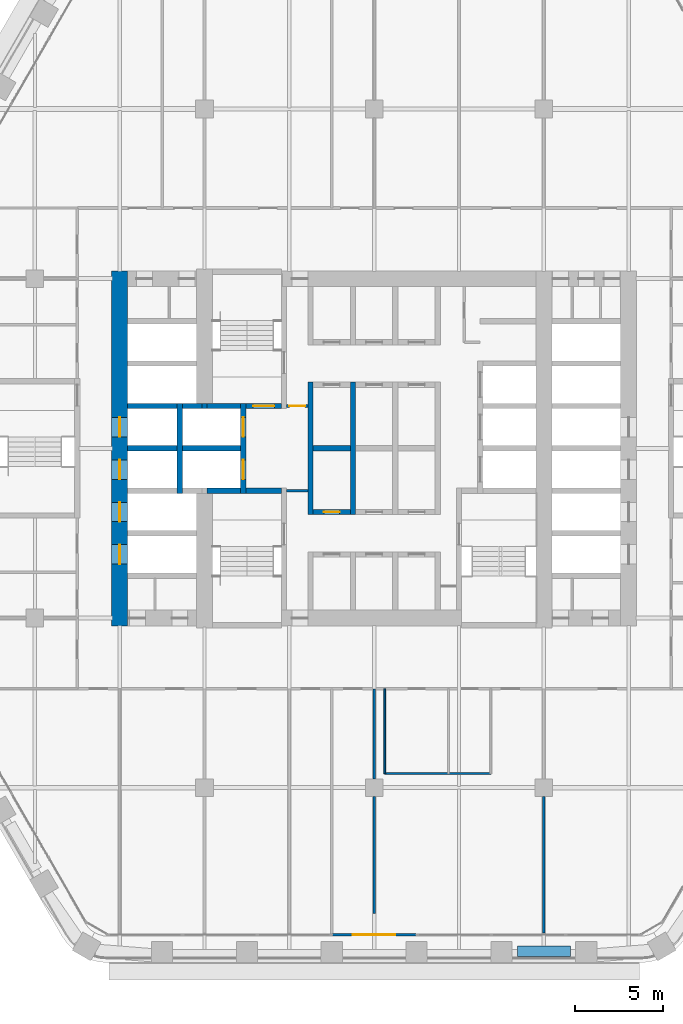
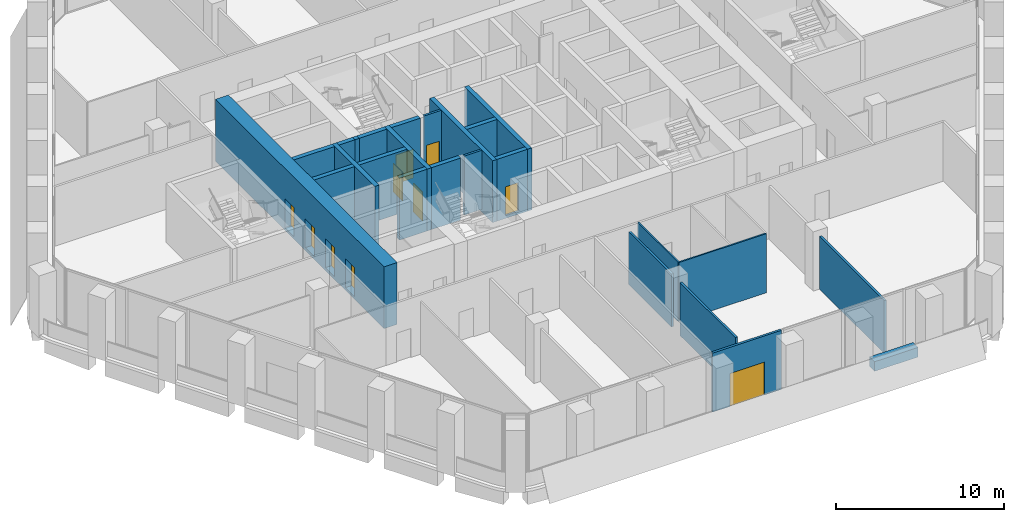
# One storey, part 13 of 23: 25 walls, 10 doors, 10 openings.
"""IFC4 building model written with IfcOpenShell, lengths in metres."""

from ifc_helpers import new_model, si_unit, direction, frame, frame_2d, origin, place, context, subcontext, project, spatial, rectangle, extrude, material, layer, layer_set, type_object, element, fill, save


model = new_model("IFC4")

# Units and contexts
model_context = context("Model", 3, precision=1e-05, world=origin(), true_north=direction((0.0, 1.0)))
body_context = subcontext(model_context, "Body", "Model", "MODEL_VIEW")
ifc_project = project(units=[si_unit("LENGTHUNIT", "METRE"), si_unit("AREAUNIT", "SQUARE_METRE"), si_unit("VOLUMEUNIT", "CUBIC_METRE"), si_unit("PLANEANGLEUNIT", "RADIAN"), si_unit("MASSUNIT", "GRAM", prefix="KILO")], contexts=[model_context])

# Site, building, storey
site_placement = place(None, origin())
site = spatial("IfcSite", under=ifc_project, at=site_placement, CompositionType="ELEMENT")
building_placement = place(site_placement, origin())
building = spatial("IfcBuilding", under=site, at=building_placement, Name="Kolab Exchange Tower", CompositionType="ELEMENT")
storey_placement = place(building_placement, frame((0.0, 0.0, 100.39990234375)))
storey = spatial("IfcBuildingStorey", under=building, at=storey_placement, Name="L19", CompositionType="ELEMENT", Elevation=100.39990234375)

# Wall, openings, doors
ifc_material_1 = material(Name="Concrete C70/85", Category="concrete")
ifc_layer_1 = layer(ifc_material_1, 0.89990234375)
ifc_layer_set_1 = layer_set([ifc_layer_1], Name="Concrete C70/85")
wall_type_1 = type_object("IfcWallType", Name="CORE WALL 900 C70/85", PredefinedType="SHEAR", material=ifc_layer_set_1)
wall_1_placement = place(storey_placement, frame((-14.39990234375, -10.050048828125, -0.199951171875), z_axis=(0.0, 0.0, 1.0), x_axis=(0.0, 1.0, 0.0)))
wall_1 = element("IfcWall", 1, at=wall_1_placement, inside=storey, type_object=wall_type_1, Name="wall/L19/core/057", PredefinedType="SHEAR", context=body_context, shape_type="SweptSolid", body=[
    extrude(rectangle(XDim=20.10009765625, YDim=0.89990234375, at=frame_2d((10.050048828125, 0.0))), origin(), (0.0, 0.0, 1.0), 4.5),
])
opening_1_placement = place(wall_1_placement, frame((3.5, 0.0, 0.199951171875)))
opening_1 = element("IfcOpeningElement", 2, at=opening_1_placement, cuts=wall_1, Name="Opening LD1-073", PredefinedType="OPENING", context=body_context, shape_type="SweptSolid", body=[
    extrude(rectangle(XDim=1.10009765625, YDim=2.10009765625, at=frame_2d((0.550048828125, 1.050048828125))), frame((0.0, 0.4599609375, 0.0), z_axis=(0.0, -1.0, 0.0), x_axis=(1.0, 0.0, 0.0)), (0.0, 0.0, 1.0), 0.919921875),
])
opening_2_placement = place(wall_1_placement, frame((5.89990234375, 0.0, 0.199951171875)))
opening_2 = element("IfcOpeningElement", 3, at=opening_2_placement, cuts=wall_1, Name="Opening LD1-074", PredefinedType="OPENING", context=body_context, shape_type="SweptSolid", body=[
    extrude(rectangle(XDim=1.10009765625, YDim=2.10009765625, at=frame_2d((0.550048828125, 1.050048828125))), frame((0.0, 0.4599609375, 0.0), z_axis=(0.0, -1.0, 0.0), x_axis=(1.0, 0.0, 0.0)), (0.0, 0.0, 1.0), 0.919921875),
])
opening_3_placement = place(wall_1_placement, frame((8.300048828125, 0.0, 0.199951171875)))
opening_3 = element("IfcOpeningElement", 4, at=opening_3_placement, cuts=wall_1, Name="Opening LD1-075", PredefinedType="OPENING", context=body_context, shape_type="SweptSolid", body=[
    extrude(rectangle(XDim=1.10009765625, YDim=2.10009765625, at=frame_2d((0.550048828125, 1.050048828125))), frame((0.0, 0.4599609375, 0.0), z_axis=(0.0, -1.0, 0.0), x_axis=(1.0, 0.0, 0.0)), (0.0, 0.0, 1.0), 0.919921875),
])
opening_4_placement = place(wall_1_placement, frame((10.699951171875, 0.0, 0.199951171875)))
opening_4 = element("IfcOpeningElement", 5, at=opening_4_placement, cuts=wall_1, Name="Opening LD1-076", PredefinedType="OPENING", context=body_context, shape_type="SweptSolid", body=[
    extrude(rectangle(XDim=1.10009765625, YDim=2.10009765625, at=frame_2d((0.550048828125, 1.050048828125))), frame((0.0, 0.4599609375, 0.0), z_axis=(0.0, -1.0, 0.0), x_axis=(1.0, 0.0, 0.0)), (0.0, 0.0, 1.0), 0.919921875),
])
ifc_material_2 = material(Name="Stainless steel 316", Category="steel")
door_type_1 = type_object("IfcDoorType", Name="LANDING DOOR 1100 PASSENGER", OperationType="DOUBLE_DOOR_SLIDING", PredefinedType="DOOR", material=ifc_material_2)
door_1_placement = place(opening_1_placement, origin())
door_1 = element("IfcDoor", 6, at=door_1_placement, inside=storey, type_object=door_type_1, Name="Landing door LR5", OperationType="DOUBLE_DOOR_SLIDING", OverallHeight=2.10009765625, OverallWidth=1.10009765625, PredefinedType="DOOR", context=body_context, shape_type="SweptSolid", body=[
    extrude(rectangle(XDim=1.10009765625, YDim=2.10009765625, at=frame_2d((0.550048828125, 1.050048828125))), frame((0.0, 0.02490234375, 0.0), z_axis=(0.0, -1.0, 0.0), x_axis=(1.0, 0.0, 0.0)), (0.0, 0.0, 1.0), 0.050048828125),
])
fill(opening_1, door_1)
door_2_placement = place(opening_2_placement, origin())
door_2 = element("IfcDoor", 7, at=door_2_placement, inside=storey, type_object=door_type_1, Name="Landing door LR6", OperationType="DOUBLE_DOOR_SLIDING", OverallHeight=2.10009765625, OverallWidth=1.10009765625, PredefinedType="DOOR", context=body_context, shape_type="SweptSolid", body=[
    extrude(rectangle(XDim=1.10009765625, YDim=2.10009765625, at=frame_2d((0.550048828125, 1.050048828125))), frame((0.0, 0.02490234375, 0.0), z_axis=(0.0, -1.0, 0.0), x_axis=(1.0, 0.0, 0.0)), (0.0, 0.0, 1.0), 0.050048828125),
])
fill(opening_2, door_2)
door_3_placement = place(opening_3_placement, origin())
door_3 = element("IfcDoor", 8, at=door_3_placement, inside=storey, type_object=door_type_1, Name="Landing door LR7", OperationType="DOUBLE_DOOR_SLIDING", OverallHeight=2.10009765625, OverallWidth=1.10009765625, PredefinedType="DOOR", context=body_context, shape_type="SweptSolid", body=[
    extrude(rectangle(XDim=1.10009765625, YDim=2.10009765625, at=frame_2d((0.550048828125, 1.050048828125))), frame((0.0, 0.02490234375, 0.0), z_axis=(0.0, -1.0, 0.0), x_axis=(1.0, 0.0, 0.0)), (0.0, 0.0, 1.0), 0.050048828125),
])
fill(opening_3, door_3)
door_4_placement = place(opening_4_placement, origin())
door_4 = element("IfcDoor", 9, at=door_4_placement, inside=storey, type_object=door_type_1, Name="Landing door LR8", OperationType="DOUBLE_DOOR_SLIDING", OverallHeight=2.10009765625, OverallWidth=1.10009765625, PredefinedType="DOOR", context=body_context, shape_type="SweptSolid", body=[
    extrude(rectangle(XDim=1.10009765625, YDim=2.10009765625, at=frame_2d((0.550048828125, 1.050048828125))), frame((0.0, 0.02490234375, 0.0), z_axis=(0.0, -1.0, 0.0), x_axis=(1.0, 0.0, 0.0)), (0.0, 0.0, 1.0), 0.050048828125),
])
fill(opening_4, door_4)

# Wall, opening, door
ifc_material_3 = material(Name="Aluminium EN AW-6063 T6", Category="aluminium")
ifc_layer_2 = layer(ifc_material_3, 0.159912109375)
ifc_layer_set_2 = layer_set([ifc_layer_2], Name="Aluminium EN AW-6063 T6")
wall_type_2 = type_object("IfcWallType", Name="DOOR SURROUND WALL 160 ALUMINIUM FRAMED", PredefinedType="PARTITIONING", material=ifc_layer_set_2)
wall_2_placement = place(storey_placement, frame((2.3701171875, -27.5185546875, 0.0), z_axis=(0.0, 0.0, 1.0), x_axis=(-1.0, 0.0, 0.0)))
wall_2 = element("IfcWall", 10, at=wall_2_placement, inside=storey, type_object=wall_type_2, Name="Door surround wall", PredefinedType="PARTITIONING", context=body_context, shape_type="SweptSolid", body=[
    extrude(rectangle(XDim=4.740234375, YDim=0.159912109375, at=frame_2d((2.3701171875, 0.0))), origin(), (0.0, 0.0, 1.0), 4.300048828125),
])
opening_5_placement = place(wall_2_placement, frame((1.169921875, 0.0, 0.0)))
opening_5 = element("IfcOpeningElement", 11, at=opening_5_placement, cuts=wall_2, Name="Opening GD1-037", PredefinedType="OPENING", context=body_context, shape_type="SweptSolid", body=[
    extrude(rectangle(XDim=2.39990234375, YDim=2.39990234375, at=frame_2d((1.199951171875, 1.199951171875))), frame((0.0, 0.08984375, 0.0), z_axis=(0.0, -1.0, 0.0), x_axis=(1.0, 0.0, 0.0)), (0.0, 0.0, 1.0), 0.179931640625),
])
door_type_2 = type_object("IfcDoorType", Name="LOGGIA SLIDING GLASS DOOR 2400 X 2400", OperationType="DOUBLE_DOOR_SINGLE_SWING", PredefinedType="DOOR", material=ifc_material_3)
door_5_placement = place(opening_5_placement, origin())
door_5 = element("IfcDoor", 12, at=door_5_placement, inside=storey, type_object=door_type_2, Name="Loggia door", OperationType="DOUBLE_DOOR_SLIDING", OverallHeight=2.39990234375, OverallWidth=2.39990234375, PredefinedType="DOOR", context=body_context, shape_type="SweptSolid", body=[
    extrude(rectangle(XDim=2.39990234375, YDim=2.39990234375, at=frame_2d((1.199951171875, 1.199951171875))), frame((0.0, 0.02490234375, 0.0), z_axis=(0.0, -1.0, 0.0), x_axis=(1.0, 0.0, 0.0)), (0.0, 0.0, 1.0), 0.050048828125),
])
fill(opening_5, door_5)

ifc_material_4 = material(Name="Concrete C50/60", Category="concrete")
ifc_layer_3 = layer(ifc_material_4, 0.300048828125)
ifc_layer_set_3 = layer_set([ifc_layer_3], Name="Concrete C50/60")
wall_type_3 = type_object("IfcWallType", Name="LIFT SHAFT WALL 300 C50/60", PredefinedType="STANDARD", material=ifc_layer_set_3)
wall_3_placement = place(storey_placement, frame((-3.449951171875, -3.60009765625, -0.199951171875), z_axis=(0.0, 0.0, 1.0), x_axis=(1.0, 0.0, 0.0)))
wall_3 = element("IfcWall", 13, at=wall_3_placement, inside=storey, type_object=wall_type_3, Name="wall/L19/core/014", PredefinedType="STANDARD", context=body_context, shape_type="SweptSolid", body=[
    extrude(rectangle(XDim=2.099853515625, YDim=0.300048828125, at=frame_2d((1.0498046875, 0.0))), origin(), (0.0, 0.0, 1.0), 4.5),
])
opening_6_placement = place(wall_3_placement, frame((0.60009765625, 0.0, 0.199951171875)))
opening_6 = element("IfcOpeningElement", 14, at=opening_6_placement, cuts=wall_3, Name="Opening D6-199", PredefinedType="OPENING", context=body_context, shape_type="SweptSolid", body=[
    extrude(rectangle(XDim=0.89990234375, YDim=2.10009765625, at=frame_2d((0.449951171875, 1.050048828125))), frame((0.0, 0.16015625, 0.0), z_axis=(0.0, -1.0, 0.0), x_axis=(1.0, 0.0, 0.0)), (0.0, 0.0, 1.0), 0.320068359375),
])
ifc_material_5 = material(Name="Steel S235", Category="steel")
door_type_3 = type_object("IfcDoorType", Name="CORE DOOR 900 EI 120", OperationType="SINGLE_SWING_LEFT", PredefinedType="DOOR", material=ifc_material_5)
door_6_placement = place(opening_6_placement, origin())
door_6 = element("IfcDoor", 15, at=door_6_placement, inside=storey, type_object=door_type_3, Name="Service room door", OperationType="SINGLE_SWING_LEFT", OverallHeight=2.10009765625, OverallWidth=0.89990234375, PredefinedType="DOOR", context=body_context, shape_type="SweptSolid", body=[
    extrude(rectangle(XDim=0.89990234375, YDim=2.10009765625, at=frame_2d((0.449951171875, 1.050048828125))), frame((0.0, 0.02490234375, 0.0), z_axis=(0.0, -1.0, 0.0), x_axis=(1.0, 0.0, 0.0)), (0.0, 0.0, 1.0), 0.050048828125),
])
fill(opening_6, door_6)

# Walls
wall_4_placement = place(storey_placement, frame((-13.949951171875, 0.0, -0.199951171875), z_axis=(0.0, 0.0, 1.0), x_axis=(1.0, 0.0, 0.0)))
element("IfcWall", 16, at=wall_4_placement, inside=storey, type_object=wall_type_3, Name="wall/L19/core/024", PredefinedType="STANDARD", context=body_context, shape_type="SweptSolid", body=[
    extrude(rectangle(XDim=2.800048828125, YDim=0.300048828125, at=frame_2d((1.39990234375, 0.0))), origin(), (0.0, 0.0, 1.0), 4.5),
])
wall_5_placement = place(storey_placement, frame((-10.85009765625, 0.0, -0.199951171875), z_axis=(0.0, 0.0, 1.0), x_axis=(1.0, 0.0, 0.0)))
element("IfcWall", 17, at=wall_5_placement, inside=storey, type_object=wall_type_3, Name="wall/L19/core/025", PredefinedType="STANDARD", context=body_context, shape_type="SweptSolid", body=[
    extrude(rectangle(XDim=3.300048828125, YDim=0.300048828125, at=frame_2d((1.64990234375, 0.0))), origin(), (0.0, 0.0, 1.0), 4.5),
])
wall_6_placement = place(storey_placement, frame((-3.449951171875, 0.0, -0.199951171875), z_axis=(0.0, 0.0, 1.0), x_axis=(1.0, 0.0, 0.0)))
element("IfcWall", 18, at=wall_6_placement, inside=storey, type_object=wall_type_3, Name="wall/L19/core/026", PredefinedType="STANDARD", context=body_context, shape_type="SweptSolid", body=[
    extrude(rectangle(XDim=2.099853515625, YDim=0.300048828125, at=frame_2d((1.0498046875, 0.0))), origin(), (0.0, 0.0, 1.0), 4.5),
])
wall_7_placement = place(storey_placement, frame((-13.949951171875, 2.39990234375, -0.199951171875), z_axis=(0.0, 0.0, 1.0), x_axis=(1.0, 0.0, 0.0)))
element("IfcWall", 19, at=wall_7_placement, inside=storey, type_object=wall_type_3, Name="wall/L19/core/031", PredefinedType="STANDARD", context=body_context, shape_type="SweptSolid", body=[
    extrude(rectangle(XDim=2.800048828125, YDim=0.300048828125, at=frame_2d((1.39990234375, 0.0))), origin(), (0.0, 0.0, 1.0), 4.5),
])
wall_8_placement = place(storey_placement, frame((-10.85009765625, 2.39990234375, -0.199951171875), z_axis=(0.0, 0.0, 1.0), x_axis=(1.0, 0.0, 0.0)))
element("IfcWall", 20, at=wall_8_placement, inside=storey, type_object=wall_type_3, Name="wall/L19/core/032", PredefinedType="STANDARD", context=body_context, shape_type="SweptSolid", body=[
    extrude(rectangle(XDim=1.10009765625, YDim=0.300048828125, at=frame_2d((0.550048828125, 0.0))), origin(), (0.0, 0.0, 1.0), 4.5),
])
wall_9_placement = place(storey_placement, frame((-11.0, -2.550048828125, -0.199951171875), z_axis=(0.0, 0.0, 1.0), x_axis=(0.0, 1.0, 0.0)))
element("IfcWall", 21, at=wall_9_placement, inside=storey, type_object=wall_type_3, Name="wall/L19/core/058", PredefinedType="STANDARD", context=body_context, shape_type="SweptSolid", body=[
    extrude(rectangle(XDim=5.10009765625, YDim=0.300048828125, at=frame_2d((2.550048828125, 0.0))), origin(), (0.0, 0.0, 1.0), 4.5),
])

# Wall, openings, doors
wall_10_placement = place(storey_placement, frame((-7.39990234375, -2.550048828125, -0.199951171875), z_axis=(0.0, 0.0, 1.0), x_axis=(0.0, 1.0, 0.0)))
wall_10 = element("IfcWall", 22, at=wall_10_placement, inside=storey, type_object=wall_type_3, Name="wall/L19/core/063", PredefinedType="STANDARD", context=body_context, shape_type="SweptSolid", body=[
    extrude(rectangle(XDim=5.10009765625, YDim=0.300048828125, at=frame_2d((2.550048828125, 0.0))), origin(), (0.0, 0.0, 1.0), 4.5),
])
opening_7_placement = place(wall_10_placement, frame((0.800048828125, 0.0, 0.199951171875)))
opening_7 = element("IfcOpeningElement", 23, at=opening_7_placement, cuts=wall_10, Name="Opening LD2-017", PredefinedType="OPENING", context=body_context, shape_type="SweptSolid", body=[
    extrude(rectangle(XDim=1.10009765625, YDim=2.10009765625, at=frame_2d((0.550048828125, 1.050048828125))), frame((0.0, 0.16015625, 0.0), z_axis=(0.0, -1.0, 0.0), x_axis=(1.0, 0.0, 0.0)), (0.0, 0.0, 1.0), 0.320068359375),
])
opening_8_placement = place(wall_10_placement, frame((3.199951171875, 0.0, 0.199951171875)))
opening_8 = element("IfcOpeningElement", 24, at=opening_8_placement, cuts=wall_10, Name="Opening LD2-018", PredefinedType="OPENING", context=body_context, shape_type="SweptSolid", body=[
    extrude(rectangle(XDim=1.10009765625, YDim=2.10009765625, at=frame_2d((0.550048828125, 1.050048828125))), frame((0.0, 0.16015625, 0.0), z_axis=(0.0, -1.0, 0.0), x_axis=(1.0, 0.0, 0.0)), (0.0, 0.0, 1.0), 0.320068359375),
])
door_type_4 = type_object("IfcDoorType", Name="LANDING DOOR 1100 FIREFIGHTING", OperationType="DOUBLE_DOOR_SLIDING", PredefinedType="DOOR", material=ifc_material_2)
door_7_placement = place(opening_7_placement, origin())
door_7 = element("IfcDoor", 25, at=door_7_placement, inside=storey, type_object=door_type_4, Name="Landing door FF1", OperationType="DOUBLE_DOOR_SLIDING", OverallHeight=2.10009765625, OverallWidth=1.10009765625, PredefinedType="DOOR", context=body_context, shape_type="SweptSolid", body=[
    extrude(rectangle(XDim=1.10009765625, YDim=2.10009765625, at=frame_2d((0.550048828125, 1.050048828125))), frame((0.0, 0.02490234375, 0.0), z_axis=(0.0, -1.0, 0.0), x_axis=(1.0, 0.0, 0.0)), (0.0, 0.0, 1.0), 0.050048828125),
])
fill(opening_7, door_7)
door_8_placement = place(opening_8_placement, origin())
door_8 = element("IfcDoor", 26, at=door_8_placement, inside=storey, type_object=door_type_4, Name="Landing door FF2", OperationType="DOUBLE_DOOR_SLIDING", OverallHeight=2.10009765625, OverallWidth=1.10009765625, PredefinedType="DOOR", context=body_context, shape_type="SweptSolid", body=[
    extrude(rectangle(XDim=1.10009765625, YDim=2.10009765625, at=frame_2d((0.550048828125, 1.050048828125))), frame((0.0, 0.02490234375, 0.0), z_axis=(0.0, -1.0, 0.0), x_axis=(1.0, 0.0, 0.0)), (0.0, 0.0, 1.0), 0.050048828125),
])
fill(opening_8, door_8)

# Walls
for number, where, z_axis, x_axis, name in (
    (27, (-3.60009765625, -3.75, -0.199951171875), (0.0, 0.0, 1.0), (0.0, 1.0, 0.0), "wall/L19/core/067"),
    (28, (-1.199951171875, -3.75, -0.199951171875), (0.0, 0.0, 1.0), (0.0, 1.0, 0.0), "wall/L19/core/070"),
):
    element("IfcWall", number, at=place(storey_placement, frame(where, z_axis=z_axis, x_axis=x_axis)), inside=storey, type_object=wall_type_3, Name=name, PredefinedType="STANDARD", context=body_context, shape_type="SweptSolid", body=[
        extrude(rectangle(XDim=7.5, YDim=0.300048828125, at=frame_2d((3.75, 0.0))), origin(), (0.0, 0.0, 1.0), 4.5),
    ])
ifc_material_6 = material(Name="Gypsum board", Category="gypsum")
ifc_layer_4 = layer(ifc_material_6, 0.10009765625)
ifc_layer_set_4 = layer_set([ifc_layer_4], Name="Gypsum board")
wall_type_4 = type_object("IfcWallType", Name="PARTITION 100", PredefinedType="PARTITIONING", material=ifc_layer_set_4)
wall_11_placement = place(storey_placement, frame((0.60009765625, -18.39990234375, 0.0), z_axis=(0.0, 0.0, 1.0), x_axis=(0.0, 1.0, 0.0)))
element("IfcWall", 29, at=wall_11_placement, inside=storey, type_object=wall_type_4, Name="Partition 015", PredefinedType="PARTITIONING", context=body_context, shape_type="SweptSolid", body=[
    extrude(rectangle(XDim=4.7998046875, YDim=0.10009765625, at=frame_2d((2.39990234375, 0.0))), origin(), (0.0, 0.0, 1.0), 4.300048828125),
])
wall_12_placement = place(storey_placement, frame((0.60009765625, -18.39990234375, 0.0), z_axis=(0.0, 0.0, 1.0), x_axis=(1.0, 0.0, 0.0)))
element("IfcWall", 30, at=wall_12_placement, inside=storey, type_object=wall_type_4, Name="Partition 035", PredefinedType="PARTITIONING", context=body_context, shape_type="SweptSolid", body=[
    extrude(rectangle(XDim=6.0, YDim=0.10009765625, at=frame_2d((3.0, 0.0))), origin(), (0.0, 0.0, 1.0), 4.300048828125),
])
ifc_layer_5 = layer(ifc_material_6, 0.14990234375)
ifc_layer_set_5 = layer_set([ifc_layer_5], Name="Gypsum board")
wall_type_5 = type_object("IfcWallType", Name="PARTITION 150 FIRE-RATED", PredefinedType="PARTITIONING", material=ifc_layer_set_5)
wall_13_placement = place(storey_placement, frame((9.60009765625, -27.428466796875, 0.0), z_axis=(0.0, 0.0, 1.0), x_axis=(0.0, 1.0, 0.0)))
element("IfcWall", 31, at=wall_13_placement, inside=storey, type_object=wall_type_5, Name="Partition 007", PredefinedType="PARTITIONING", context=body_context, shape_type="SweptSolid", body=[
    extrude(rectangle(XDim=7.728515625, YDim=0.14990234375, at=frame_2d((3.8642578125, 0.0))), origin(), (0.0, 0.0, 1.0), 3.843017578125),
])
wall_14_placement = place(storey_placement, frame((0.0, -26.318603515625, 0.0), z_axis=(0.0, 0.0, 1.0), x_axis=(0.0, 1.0, 0.0)))
element("IfcWall", 32, at=wall_14_placement, inside=storey, type_object=wall_type_5, Name="Partition 018", PredefinedType="PARTITIONING", context=body_context, shape_type="SweptSolid", body=[
    extrude(rectangle(XDim=6.61865234375, YDim=0.14990234375, at=frame_2d((3.309326171875, 0.0))), origin(), (0.0, 0.0, 1.0), 3.843017578125),
])
wall_15_placement = place(storey_placement, frame((0.0, -18.699951171875, 0.0), z_axis=(0.0, 0.0, 1.0), x_axis=(0.0, 1.0, 0.0)))
element("IfcWall", 33, at=wall_15_placement, inside=storey, type_object=wall_type_5, Name="Partition 019", PredefinedType="PARTITIONING", context=body_context, shape_type="SweptSolid", body=[
    extrude(rectangle(XDim=5.099853515625, YDim=0.14990234375, at=frame_2d((2.5498046875, 0.0))), origin(), (0.0, 0.0, 1.0), 3.843017578125),
])

# Wall, opening, door
wall_16_placement = place(storey_placement, frame((-4.949951171875, 2.39990234375, 0.0), z_axis=(0.0, 0.0, 1.0), x_axis=(1.0, 0.0, 0.0)))
wall_16 = element("IfcWall", 34, at=wall_16_placement, inside=storey, type_object=wall_type_5, Name="Fire partition", PredefinedType="PARTITIONING", context=body_context, shape_type="SweptSolid", body=[
    extrude(rectangle(XDim=1.199951171875, YDim=0.14990234375, at=frame_2d((0.60009765625, 0.0))), origin(), (0.0, 0.0, 1.0), 4.300048828125),
])
opening_9_placement = place(wall_16_placement, frame((0.14990234375, 0.0, 0.0)))
opening_9 = element("IfcOpeningElement", 35, at=opening_9_placement, cuts=wall_16, Name="Opening D6-204", PredefinedType="OPENING", context=body_context, shape_type="SweptSolid", body=[
    extrude(rectangle(XDim=0.89990234375, YDim=2.10009765625, at=frame_2d((0.449951171875, 1.050048828125))), frame((0.0, 0.0849609375, 0.0), z_axis=(0.0, -1.0, 0.0), x_axis=(1.0, 0.0, 0.0)), (0.0, 0.0, 1.0), 0.169921875),
])
door_9_placement = place(opening_9_placement, frame((0.89990234375, 0.0, 0.0), z_axis=(0.0, 0.0, 1.0), x_axis=(-1.0, 0.0, 0.0)))
door_9 = element("IfcDoor", 36, at=door_9_placement, inside=storey, type_object=door_type_3, Name="Firefighting lobby door", OperationType="SINGLE_SWING_RIGHT", OverallHeight=2.10009765625, OverallWidth=0.89990234375, PredefinedType="DOOR", context=body_context, shape_type="SweptSolid", body=[
    extrude(rectangle(XDim=0.89990234375, YDim=2.10009765625, at=frame_2d((0.449951171875, 1.050048828125))), frame((0.0, 0.02490234375, 0.0), z_axis=(0.0, -1.0, 0.0), x_axis=(1.0, 0.0, 0.0)), (0.0, 0.0, 1.0), 0.050048828125),
])
fill(opening_9, door_9)

# Walls
wall_17_placement = place(storey_placement, frame((-4.949951171875, -2.39990234375, 0.0), z_axis=(0.0, 0.0, 1.0), x_axis=(1.0, 0.0, 0.0)))
element("IfcWall", 37, at=wall_17_placement, inside=storey, type_object=wall_type_5, Name="Fire partition", PredefinedType="PARTITIONING", context=body_context, shape_type="SweptSolid", body=[
    extrude(rectangle(XDim=1.199951171875, YDim=0.14990234375, at=frame_2d((0.60009765625, 0.0))), origin(), (0.0, 0.0, 1.0), 4.300048828125),
])
ifc_material_7 = material(Name="Granite facing", Category="masonry")
ifc_layer_6 = layer(ifc_material_7, 0.0400390625)
ifc_material_8 = material(Name="Concrete C40/50 precast", Category="concrete")
ifc_layer_7 = layer(ifc_material_8, 0.56005859375)
ifc_layer_set_6 = layer_set([ifc_layer_6, ifc_layer_7], Name="Concrete C40/50 precast")
wall_type_6 = type_object("IfcWallType", Name="PLANTER BOX 600 X 700 SOIL DEPTH 550", PredefinedType="USERDEFINED", material=ifc_layer_set_6)
wall_18_placement = place(storey_placement, frame((11.10009765625, -28.448486328125, 0.0), z_axis=(0.0, 0.0, 1.0), x_axis=(-1.0, 0.0, 0.0)))
element("IfcWall", 38, at=wall_18_placement, inside=storey, type_object=wall_type_6, Name="Planter", ObjectType="PLANTER", PredefinedType="USERDEFINED", context=body_context, shape_type="SweptSolid", body=[
    extrude(rectangle(XDim=3.0, YDim=0.60009765625, at=frame_2d((1.5, 0.0))), origin(), (0.0, 0.0, 1.0), 0.7001953125),
])
ifc_layer_8 = layer(ifc_material_4, 0.300048828125)
ifc_layer_set_7 = layer_set([ifc_layer_8], Name="Concrete C50/60")
wall_type_7 = type_object("IfcWallType", Name="STAIR ENCLOSURE WALL 300 C50/60", PredefinedType="STANDARD", material=ifc_layer_set_7)
wall_19_placement = place(storey_placement, frame((-9.449951171875, -2.39990234375, -0.199951171875), z_axis=(0.0, 0.0, 1.0), x_axis=(1.0, 0.0, 0.0)))
element("IfcWall", 39, at=wall_19_placement, inside=storey, type_object=wall_type_7, Name="wall/L19/core/019", PredefinedType="STANDARD", context=body_context, shape_type="SweptSolid", body=[
    extrude(rectangle(XDim=1.89990234375, YDim=0.300048828125, at=frame_2d((0.949951171875, 0.0))), origin(), (0.0, 0.0, 1.0), 4.5),
])
wall_20_placement = place(storey_placement, frame((-7.25, -2.39990234375, -0.199951171875), z_axis=(0.0, 0.0, 1.0), x_axis=(1.0, 0.0, 0.0)))
element("IfcWall", 40, at=wall_20_placement, inside=storey, type_object=wall_type_7, Name="wall/L19/core/020", PredefinedType="STANDARD", context=body_context, shape_type="SweptSolid", body=[
    extrude(rectangle(XDim=2.0, YDim=0.300048828125, at=frame_2d((1.0, 0.0))), origin(), (0.0, 0.0, 1.0), 4.5),
])
wall_21_placement = place(storey_placement, frame((-9.449951171875, 2.39990234375, -0.199951171875), z_axis=(0.0, 0.0, 1.0), x_axis=(1.0, 0.0, 0.0)))
element("IfcWall", 41, at=wall_21_placement, inside=storey, type_object=wall_type_7, Name="wall/L19/core/033", PredefinedType="STANDARD", context=body_context, shape_type="SweptSolid", body=[
    extrude(rectangle(XDim=1.89990234375, YDim=0.300048828125, at=frame_2d((0.949951171875, 0.0))), origin(), (0.0, 0.0, 1.0), 4.5),
])

# Wall, opening, door
wall_22_placement = place(storey_placement, frame((-7.25, 2.39990234375, -0.199951171875), z_axis=(0.0, 0.0, 1.0), x_axis=(1.0, 0.0, 0.0)))
wall_22 = element("IfcWall", 42, at=wall_22_placement, inside=storey, type_object=wall_type_7, Name="wall/L19/core/034", PredefinedType="STANDARD", context=body_context, shape_type="SweptSolid", body=[
    extrude(rectangle(XDim=2.0, YDim=0.300048828125, at=frame_2d((1.0, 0.0))), origin(), (0.0, 0.0, 1.0), 4.5),
])
opening_10_placement = place(wall_22_placement, frame((0.39990234375, 0.0, 0.199951171875)))
opening_10 = element("IfcOpeningElement", 43, at=opening_10_placement, cuts=wall_22, Name="Opening D4-043", PredefinedType="OPENING", context=body_context, shape_type="SweptSolid", body=[
    extrude(rectangle(XDim=1.199951171875, YDim=2.10009765625, at=frame_2d((0.60009765625, 1.050048828125))), frame((0.0, 0.16015625, 0.0), z_axis=(0.0, -1.0, 0.0), x_axis=(1.0, 0.0, 0.0)), (0.0, 0.0, 1.0), 0.320068359375),
])
door_type_5 = type_object("IfcDoorType", Name="STAIR DOOR 1200 EI 120", OperationType="SINGLE_SWING_LEFT", PredefinedType="DOOR", material=ifc_material_5)
door_10_placement = place(opening_10_placement, origin())
door_10 = element("IfcDoor", 44, at=door_10_placement, inside=storey, type_object=door_type_5, Name="Stair 1 door", OperationType="SINGLE_SWING_RIGHT", OverallHeight=2.10009765625, OverallWidth=1.199951171875, PredefinedType="DOOR", context=body_context, shape_type="SweptSolid", body=[
    extrude(rectangle(XDim=1.199951171875, YDim=2.10009765625, at=frame_2d((0.60009765625, 1.050048828125))), frame((0.0, 0.02490234375, 0.0), z_axis=(0.0, -1.0, 0.0), x_axis=(1.0, 0.0, 0.0)), (0.0, 0.0, 1.0), 0.050048828125),
])
fill(opening_10, door_10)

# Wall
wall_23_placement = place(storey_placement, frame((-9.60009765625, 2.25, -0.199951171875), z_axis=(0.0, 0.0, 1.0), x_axis=(0.0, 1.0, 0.0)))
element("IfcWall", 45, at=wall_23_placement, inside=storey, type_object=wall_type_7, Name="wall/L19/core/061", PredefinedType="STANDARD", context=body_context, shape_type="SweptSolid", body=[
    extrude(rectangle(XDim=0.300048828125, YDim=0.300048828125, at=frame_2d((0.14990234375, 0.0))), origin(), (0.0, 0.0, 1.0), 4.5),
])

save(model, "model.ifc")
